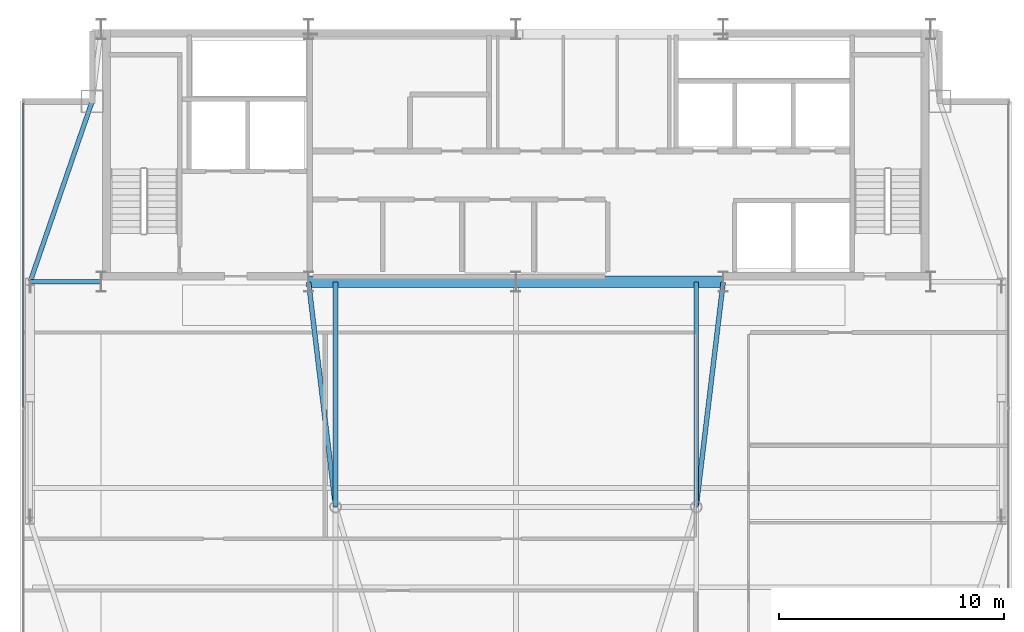
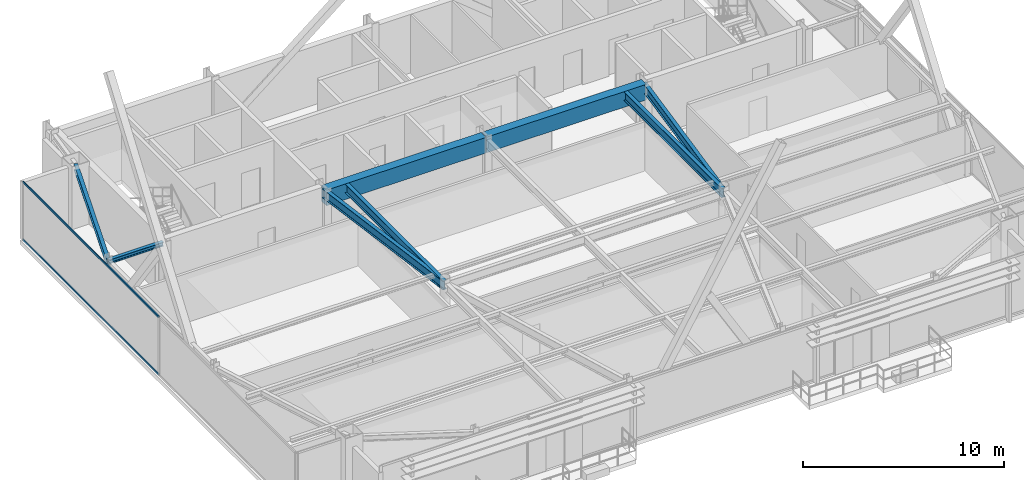
# One storey, part 10 of 25: 8 beams, 2 members, 1 element without a shape of its own.
"""IFC4 building model written with IfcOpenShell, lengths in metres."""

import ifcopenshell
import ifcopenshell.guid

model = None  # the IFC model being written
_history = None  # IfcOwnerHistory: only IFC2X3 demands one
_inside = {}  # id of a spatial element -> (the spatial element, [elements in it])
_under = {}  # id of a project, library or spatial element -> (it, [spatial elements below it])
_declared = {}  # id of a project -> (the project, [libraries it declares])
_typed = {}  # id of a type object -> (the type object, [elements of that type])
_made_of = {}  # id of a material, layer set ... -> (it, [elements and type objects made of it])


def new_model(schema):
    """Start an empty IFC model of exactly this schema.

    Asked for "IFC4X3", IfcOpenShell would pick the latest addendum, in which some entities
    have other attributes; the version numbers below select the first issue.
    IFC2X3 requires an IfcOwnerHistory on every rooted entity: one is made here for all.
    """
    global model, _history
    if schema == "IFC4X3":
        model = ifcopenshell.file(schema_version=(4, 3, 0, 0))
    else:
        model = ifcopenshell.file(schema=schema)
    _inside.clear()
    _under.clear()
    _declared.clear()
    _typed.clear()
    _made_of.clear()
    _history = None
    if model.schema == "IFC2X3":
        org = make("IfcOrganization", Name="unknown")
        user = make(
            "IfcPersonAndOrganization",
            ThePerson=make("IfcPerson", FamilyName="unknown"),
            TheOrganization=org,
        )
        app = make(
            "IfcApplication",
            ApplicationDeveloper=org,
            Version="unknown",
            ApplicationFullName="unknown",
            ApplicationIdentifier="unknown",
        )
        _history = make(
            "IfcOwnerHistory",
            OwningUser=user,
            OwningApplication=app,
            ChangeAction="ADDED",
            CreationDate=0,
        )
    return model


def make(cls, **values):
    """One entity of the class cls with the attributes given. An attribute that is None is left unset."""
    return model.create_entity(
        cls, **{name: value for name, value in values.items() if value is not None}
    )


def rooted(cls, **values):
    """An entity with a GlobalId (a new one), such as an element, a storey or a relation."""
    return make(cls, GlobalId=ifcopenshell.guid.new(), OwnerHistory=_history, **values)


def si_unit(unit_type, name, prefix=None):
    """IfcSIUnit, for example si_unit("LENGTHUNIT", "METRE", prefix="MILLI")."""
    return make("IfcSIUnit", UnitType=unit_type, Prefix=prefix, Name=name)


def assignment(units):
    """IfcUnitAssignment: the units of a project."""
    return None if units is None else make("IfcUnitAssignment", Units=units)


def point(xyz):
    """IfcCartesianPoint."""
    return None if xyz is None else make("IfcCartesianPoint", Coordinates=xyz)


def direction(xyz):
    """IfcDirection."""
    return None if xyz is None else make("IfcDirection", DirectionRatios=xyz)


def frame(location, z_axis=None, x_axis=None):
    """IfcAxis2Placement3D, a coordinate frame: its origin and axes. An axis left out is left unset."""
    return make(
        "IfcAxis2Placement3D",
        Location=point(location),
        Axis=direction(z_axis),
        RefDirection=direction(x_axis),
    )


def frame_2d(location, x_axis=None):
    """IfcAxis2Placement2D, a coordinate frame in the plane: its origin and x axis."""
    return make(
        "IfcAxis2Placement2D", Location=point(location), RefDirection=direction(x_axis)
    )


def origin():
    """The frame at (0, 0, 0) with its axes left unset."""
    return frame((0.0, 0.0, 0.0))


def origin_2d():
    """The frame at (0, 0) in the plane with its x axis left unset."""
    return frame_2d((0.0, 0.0))


def place(relative_to, where):
    """IfcLocalPlacement: puts the frame where relative to a parent placement (None: the world)."""
    return make(
        "IfcLocalPlacement", PlacementRelTo=relative_to, RelativePlacement=where
    )


def context(
    kind, dimensions, precision=None, world=None, true_north=None, identifier=None
):
    """IfcGeometricRepresentationContext, for example the 3D "Model" context."""
    return make(
        "IfcGeometricRepresentationContext",
        ContextIdentifier=identifier,
        ContextType=kind,
        CoordinateSpaceDimension=dimensions,
        Precision=precision,
        WorldCoordinateSystem=world,
        TrueNorth=true_north,
    )


def subcontext(parent, identifier, kind, view, scale=None):
    """IfcGeometricRepresentationSubContext, for example "Body" below "Model"."""
    return make(
        "IfcGeometricRepresentationSubContext",
        ContextIdentifier=identifier,
        ContextType=kind,
        ParentContext=parent,
        TargetScale=scale,
        TargetView=view,
    )


def project(units=None, contexts=None):
    """IfcProject with its units and contexts."""
    return rooted(
        "IfcProject",
        Name="project",
        RepresentationContexts=contexts,
        UnitsInContext=assignment(units),
    )


def spatial(cls, under=None, at=None, **own):
    """A site, building, storey or space (cls), placed at a placement, below another one or the project."""
    s = rooted(cls, ObjectPlacement=at, **own)
    if under is not None:
        _under.setdefault(under.id(), (under, []))[1].append(s)
    return s


def profile(cls, at=None, kind="AREA", **sizes):
    """A parametric profile (cls). Its sizes go by their IFC names, for example OverallWidth=200.0."""
    return make(cls, ProfileType=kind, Position=at, **sizes)


def rectangle(**sizes):
    """IfcRectangleProfileDef."""
    return profile("IfcRectangleProfileDef", **sizes)


def hollow_rectangle(**sizes):
    """IfcRectangleHollowProfileDef."""
    return profile("IfcRectangleHollowProfileDef", **sizes)


def i_section(**sizes):
    """IfcIShapeProfileDef."""
    return profile("IfcIShapeProfileDef", **sizes)


def extrude(swept, where, along, depth):
    """IfcExtrudedAreaSolid: the profile swept, set in the frame where, extruded along a direction by depth."""
    return make(
        "IfcExtrudedAreaSolid",
        SweptArea=swept,
        Position=where,
        ExtrudedDirection=direction(along),
        Depth=depth,
    )


def shape(context_of_items, identifier, shape_type, items):
    """IfcShapeRepresentation: the items that make up one representation, for example the "Body"."""
    return make(
        "IfcShapeRepresentation",
        ContextOfItems=context_of_items,
        RepresentationIdentifier=identifier,
        RepresentationType=shape_type,
        Items=items,
    )


def source(mapping_origin, context_of_items, identifier, shape_type, items):
    """IfcRepresentationMap: a shape defined once, which mapped items show again and again."""
    return make(
        "IfcRepresentationMap",
        MappingOrigin=mapping_origin,
        MappedRepresentation=shape(context_of_items, identifier, shape_type, items),
    )


def transform(
    local_origin,
    x_axis=None,
    y_axis=None,
    z_axis=None,
    scale=None,
    scale2=None,
    scale3=None,
    uniform=True,
):
    """IfcCartesianTransformationOperator3D, or its non-uniform kind. x_axis, y_axis, z_axis: its Axis1, 2, 3."""
    if uniform:
        return make(
            "IfcCartesianTransformationOperator3D",
            Axis1=direction(x_axis),
            Axis2=direction(y_axis),
            LocalOrigin=point(local_origin),
            Scale=scale,
            Axis3=direction(z_axis),
        )
    return make(
        "IfcCartesianTransformationOperator3DnonUniform",
        Axis1=direction(x_axis),
        Axis2=direction(y_axis),
        LocalOrigin=point(local_origin),
        Scale=scale,
        Axis3=direction(z_axis),
        Scale2=scale2,
        Scale3=scale3,
    )


def mapped(mapping_source, mapping_target):
    """IfcMappedItem: shows the shape of a source again, moved by a transform."""
    return make(
        "IfcMappedItem", MappingSource=mapping_source, MappingTarget=mapping_target
    )


def material(Name=None, Category=None):
    """IfcMaterial."""
    return make("IfcMaterial", Name=Name, Category=Category)


def layer(
    of_material, thickness, ventilated=None, Name=None, Category=None, Priority=None
):
    """IfcMaterialLayer: one layer of a wall or slab, of a material (None: an air gap)."""
    return make(
        "IfcMaterialLayer",
        Material=of_material,
        LayerThickness=thickness,
        IsVentilated=ventilated,
        Name=Name,
        Category=Category,
        Priority=Priority,
    )


def layer_set(layers, Name=None):
    """IfcMaterialLayerSet."""
    return make("IfcMaterialLayerSet", MaterialLayers=layers, LayerSetName=Name)


def material_profile(
    of_material, cross_section, Name=None, Category=None, Priority=None
):
    """IfcMaterialProfile: a cross section and its material."""
    return make(
        "IfcMaterialProfile",
        Name=Name,
        Material=of_material,
        Profile=cross_section,
        Priority=Priority,
        Category=Category,
    )


def profile_set(profiles, Name=None, composite=None):
    """IfcMaterialProfileSet."""
    return make(
        "IfcMaterialProfileSet",
        Name=Name,
        MaterialProfiles=profiles,
        CompositeProfile=composite,
    )


def made_of(thing, what):
    """Note that an element or type object is made of a material, layer set ...; save() writes the relation."""
    if what is not None:
        _made_of.setdefault(what.id(), (what, []))[1].append(thing)
    return thing


def type_object(cls, material=None, **own):
    """A type object (cls), such as IfcWallType, which elements share."""
    return made_of(rooted(cls, **own), material)


def type_shapes(of_type, sources):
    """Give a type object the sources (RepresentationMaps) that its elements show as mapped items."""
    of_type.RepresentationMaps = sources


def element(
    cls,
    number,
    at=None,
    inside=None,
    cuts=None,
    type_object=None,
    material=None,
    context=None,
    identifier="Body",
    shape_type=None,
    held_by="IfcProductDefinitionShape",
    body=None,
    shapes=None,
    **own,
):
    """One element of the class cls, such as IfcWall. Its Tag is "e" and its number.

    at: its placement. inside: the storey or other place that contains it. cuts: it is an
    opening in that element (IfcRelVoidsElement). A single representation is given by context,
    identifier, shape_type and body (its items); several are given by shapes. held_by: the class
    of the entity that holds the representations. save() writes the other relations.
    """
    e = rooted(cls, Tag="e%d" % number, ObjectPlacement=at, **own)
    if body is not None:
        shapes = [shape(context, identifier, shape_type, body)]
    if shapes is not None:
        e.Representation = make(held_by, Representations=shapes)
    if inside is not None:
        _inside.setdefault(inside.id(), (inside, []))[1].append(e)
    if cuts is not None:
        rooted(
            "IfcRelVoidsElement", RelatingBuildingElement=cuts, RelatedOpeningElement=e
        )
    if type_object is not None:
        _typed.setdefault(type_object.id(), (type_object, []))[1].append(e)
    return made_of(e, material)


def aggregate(whole, parts):
    """IfcRelAggregates: a whole, such as a stair, and the parts it consists of."""
    return rooted("IfcRelAggregates", RelatingObject=whole, RelatedObjects=parts)


def save(model, path):
    """Write the relations noted so far, then the file.

    IfcRelAggregates (storeys below a building ...), IfcRelContainedInSpatialStructure (elements
    in a storey), IfcRelDefinesByType, IfcRelAssociatesMaterial and IfcRelDeclares: one each for
    every whole, place, type object, material and project.
    """
    for whole, parts in _under.values():
        aggregate(whole, parts)
    for where, things in _inside.values():
        rooted(
            "IfcRelContainedInSpatialStructure",
            RelatedElements=things,
            RelatingStructure=where,
        )
    for kind, things in _typed.values():
        rooted("IfcRelDefinesByType", RelatedObjects=things, RelatingType=kind)
    for what, things in _made_of.values():
        rooted("IfcRelAssociatesMaterial", RelatedObjects=things, RelatingMaterial=what)
    for by, libraries in _declared.values():
        rooted("IfcRelDeclares", RelatingContext=by, RelatedDefinitions=libraries)
    model.write(path)


model = new_model("IFC4")

# Units and contexts
model_context = context("Model", 3, precision=1e-05, world=origin(), true_north=direction((0.0, 1.0)))
body_context = subcontext(model_context, "Body", "Model", "MODEL_VIEW")
ifc_project = project(units=[si_unit("LENGTHUNIT", "METRE"), si_unit("AREAUNIT", "SQUARE_METRE"), si_unit("VOLUMEUNIT", "CUBIC_METRE"), si_unit("PLANEANGLEUNIT", "RADIAN"), si_unit("MASSUNIT", "GRAM", prefix="KILO")], contexts=[model_context])

# Site, building, storey
site_placement = place(None, origin())
site = spatial("IfcSite", under=ifc_project, at=site_placement, CompositionType="ELEMENT")
building_placement = place(site_placement, origin())
building = spatial("IfcBuilding", under=site, at=building_placement, Name="Varnel Quay Broadcast Tower", CompositionType="ELEMENT")
storey_placement = place(building_placement, frame((0.0, 0.0, 273.60009765625)))
storey = spatial("IfcBuildingStorey", under=building, at=storey_placement, Name="L68", CompositionType="ELEMENT", Elevation=273.60009765625)

# Beams
ifc_material_1 = material(Name="Concrete CSA A23.3 C50/60", Category="concrete")
ifc_material_profile_1 = material_profile(ifc_material_1, rectangle(XDim=0.5, YDim=0.949951171875, at=origin_2d()), Name="RC500X950")
ifc_profile_set_1 = profile_set([ifc_material_profile_1], Name="Concrete CSA A23.3 C50/60")
beam_type_1 = type_object("IfcBeamType", Name="Beam_RC500X950", PredefinedType="BEAM", material=ifc_profile_set_1)
shared_shape_1 = source(origin(), body_context, "Body", "SweptSolid", [
    extrude(rectangle(XDim=0.5, YDim=0.949951171875, at=origin_2d()), origin(), (0.0, 0.0, 1.0), 9.159912109375),
])
type_shapes(beam_type_1, [shared_shape_1])
for number, where, z_axis, x_axis, name in (
    (1, (24.820068359375, 35.60009765625, 3.074951171875), (1.0, 0.0, 0.0), (0.0, 1.0, 0.0), "L68 Core Coupling Beam W"),
    (2, (34.02001953125, 35.60009765625, 3.074951171875), (1.0, 0.0, 0.0), (0.0, 1.0, 0.0), "L68 Core Coupling Beam E"),
):
    element("IfcBeam", number, at=place(storey_placement, frame(where, z_axis=z_axis, x_axis=x_axis)), inside=storey, type_object=beam_type_1, Name=name, PredefinedType="BEAM", context=body_context, shape_type="MappedRepresentation", body=[
        mapped(shared_shape_1, transform((0.0, 0.0, 0.0), x_axis=(1.0, 0.0, 0.0), y_axis=(0.0, 1.0, 0.0), z_axis=(0.0, 0.0, 1.0), scale=1.0)),
    ])
ifc_material_2 = material(Name="Structural Steel CSA G40.21 350W", Category="steel")
ifc_material_profile_2 = material_profile(ifc_material_2, i_section(OverallWidth=0.205078125, OverallDepth=0.35400390625, WebThickness=0.009521484375, FlangeThickness=0.016845703125, FilletRadius=0.012939453125, at=origin_2d()), Name="W360X79")
ifc_profile_set_2 = profile_set([ifc_material_profile_2], Name="Structural Steel CSA G40.21 350W")
beam_type_2 = type_object("IfcBeamType", Name="Beam_W360X79", PredefinedType="SPANDREL", material=ifc_profile_set_2)
shared_shape_2 = source(origin(), body_context, "Body", "SweptSolid", [
    extrude(i_section(OverallWidth=0.205078125, OverallDepth=0.35400390625, WebThickness=0.009521484375, FlangeThickness=0.016845703125, FilletRadius=0.012939453125, at=origin_2d()), origin(), (0.0, 0.0, 1.0), 8.41943359375),
])
type_shapes(beam_type_2, [shared_shape_2])
beam_1_placement = place(storey_placement, frame((12.45654296875, 35.618896484375, 3.372802734375), z_axis=(0.325087062108, 0.945684092099, 0.0), x_axis=(-0.945684092099, 0.325087062108, 0.0)))
element("IfcBeam", 3, at=beam_1_placement, inside=storey, type_object=beam_type_2, Name="L68 West Spandrel TC-W2-MC-NW", PredefinedType="SPANDREL", context=body_context, shape_type="MappedRepresentation", body=[
    mapped(shared_shape_2, transform((0.0, 0.0, 0.0), x_axis=(1.0, 0.0, 0.0), y_axis=(0.0, 1.0, 0.0), z_axis=(0.0, 0.0, 1.0), scale=1.0)),
])
ifc_material_profile_3 = material_profile(ifc_material_2, i_section(OverallWidth=0.2119140625, OverallDepth=0.5439453125, WebThickness=0.01318359375, FlangeThickness=0.021240234375, FilletRadius=0.013916015625, at=origin_2d()), Name="W530X123")
ifc_profile_set_3 = profile_set([ifc_material_profile_3], Name="Structural Steel CSA G40.21 350W")
beam_type_3 = type_object("IfcBeamType", Name="Girder_W530X123", PredefinedType="BEAM", material=ifc_profile_set_3)
shared_shape_3 = source(origin(), body_context, "Body", "SweptSolid", [
    extrude(i_section(OverallWidth=0.2119140625, OverallDepth=0.5439453125, WebThickness=0.01318359375, FlangeThickness=0.021240234375, FilletRadius=0.013916015625, at=origin_2d()), origin(), (0.0, 0.0, 1.0), 10.021728515625),
])
for number, where, z_axis, x_axis, name in (
    (4, (25.99755859375, 25.6298828125, 3.27783203125), (-0.119248005741, 0.992864498875, 0.0), (-0.992864498875, -0.119248005741, 0.0), "L68 Primary Girder IC-01-CC-S2"),
    (5, (42.00244140625, 25.6298828125, 3.27783203125), (0.119248005741, 0.992864498875, 0.0), (-0.992864498875, 0.119248005741, 0.0), "L68 Primary Girder IC-02-CC-S4"),
):
    element("IfcBeam", number, at=place(storey_placement, frame(where, z_axis=z_axis, x_axis=x_axis)), inside=storey, type_object=beam_type_3, Name=name, PredefinedType="BEAM", context=body_context, shape_type="MappedRepresentation", body=[
        mapped(shared_shape_3, transform((0.0, 0.0, 0.0), x_axis=(1.0, 0.0, 0.0), y_axis=(0.0, 1.0, 0.0), z_axis=(0.0, 0.0, 1.0), scale=1.0)),
    ])
shared_shape_4 = source(origin(), body_context, "Body", "SweptSolid", [
    extrude(i_section(OverallWidth=0.2119140625, OverallDepth=0.5439453125, WebThickness=0.01318359375, FlangeThickness=0.021240234375, FilletRadius=0.013916015625, at=origin_2d()), origin(), (0.0, 0.0, 1.0), 9.9501953125),
])
type_shapes(beam_type_3, [shared_shape_3, shared_shape_4])
for number, where, z_axis, x_axis, name in (
    (6, (26.0, 25.6298828125, 3.27783203125), (0.0, 1.0, 0.0), (-1.0, 0.0, 0.0), "L68 N-S Joist Header IC-01N"),
    (7, (42.0, 25.6298828125, 3.27783203125), (0.0, 1.0, 0.0), (-1.0, 0.0, 0.0), "L68 N-S Joist Header IC-02N"),
):
    element("IfcBeam", number, at=place(storey_placement, frame(where, z_axis=z_axis, x_axis=x_axis)), inside=storey, type_object=beam_type_3, Name=name, PredefinedType="BEAM", context=body_context, shape_type="MappedRepresentation", body=[
        mapped(shared_shape_4, transform((0.0, 0.0, 0.0), x_axis=(1.0, 0.0, 0.0), y_axis=(0.0, 1.0, 0.0), z_axis=(0.0, 0.0, 1.0), scale=1.0)),
    ])
ifc_material_profile_4 = material_profile(ifc_material_2, i_section(OverallWidth=0.201904296875, OverallDepth=0.2470703125, WebThickness=0.00732421875, FlangeThickness=0.010986328125, FilletRadius=0.010986328125, at=origin_2d()), Name="W250X49")
ifc_profile_set_4 = profile_set([ifc_material_profile_4], Name="Structural Steel CSA G40.21 350W")
beam_type_4 = type_object("IfcBeamType", Name="Beam_W250X49", PredefinedType="JOIST", material=ifc_profile_set_4)
shared_shape_5 = source(origin(), body_context, "Body", "SweptSolid", [
    extrude(i_section(OverallWidth=0.201904296875, OverallDepth=0.2470703125, WebThickness=0.00732421875, FlangeThickness=0.010986328125, FilletRadius=0.010986328125, at=origin_2d()), origin(), (0.0, 0.0, 1.0), 3.110107421875),
])
type_shapes(beam_type_4, [shared_shape_5])
beam_2_placement = place(storey_placement, frame((12.469970703125, 35.60009765625, 3.426513671875), z_axis=(1.0, 0.0, 0.0), x_axis=(0.0, 1.0, 0.0)))
element("IfcBeam", 8, at=beam_2_placement, inside=storey, type_object=beam_type_4, Name="L68 West Core Tie Joist", PredefinedType="JOIST", context=body_context, shape_type="MappedRepresentation", body=[
    mapped(shared_shape_5, transform((0.0, 0.0, 0.0), x_axis=(1.0, 0.0, 0.0), y_axis=(0.0, 1.0, 0.0), z_axis=(0.0, 0.0, 1.0), scale=1.0)),
])

# Curtain wall, members
ifc_material_3 = material(Name="Anodised Bronze Aluminium 6063-T6", Category="aluminium")
ifc_layer = layer(ifc_material_3, 0.18994140625, Name="Anodised Bronze Aluminium 6063-T6")
ifc_layer_set = layer_set([ifc_layer], Name="Anodised Bronze Aluminium 6063-T6")
curtain_wall_type = type_object("IfcCurtainWallType", Name="CW_UpperTower", PredefinedType="NOTDEFINED", material=ifc_layer_set)
curtain_wall_placement = place(storey_placement, origin())
curtain_wall = element("IfcCurtainWall", 9, at=curtain_wall_placement, inside=storey, type_object=curtain_wall_type, Name="L68 West Unitised Curtain Wall", PredefinedType="NOTDEFINED")
ifc_material_profile_5 = material_profile(ifc_material_3, hollow_rectangle(XDim=0.06005859375, YDim=0.125, WallThickness=0.0029296875, at=origin_2d()), Name="ALU60X125X3")
ifc_profile_set_5 = profile_set([ifc_material_profile_5], Name="Anodised Bronze Aluminium 6063-T6")
member_type = type_object("IfcMemberType", Name="Tran_CWS-03", PredefinedType="USERDEFINED", material=ifc_profile_set_5)
shared_shape_6 = source(origin(), body_context, "Body", "SweptSolid", [
    extrude(hollow_rectangle(XDim=0.06005859375, YDim=0.125, WallThickness=0.0029296875, at=origin_2d()), origin(), (0.0, 0.0, 1.0), 13.50244140625),
])
type_shapes(member_type, [shared_shape_6])
member_1_placement = place(storey_placement, frame((12.14990234375, 30.032470703125, 0.02978515625), z_axis=(0.0, 1.0, 0.0), x_axis=(-1.0, 0.0, 0.0)))
member_1 = element("IfcMember", 10, at=member_1_placement, type_object=member_type, Name="CWS-03 transom 2.1", ObjectType="TRANSOM", PredefinedType="USERDEFINED", context=body_context, shape_type="MappedRepresentation", body=[
    mapped(shared_shape_6, transform((0.0, 0.0, 0.0), x_axis=(1.0, 0.0, 0.0), y_axis=(0.0, 1.0, 0.0), z_axis=(0.0, 0.0, 1.0), scale=1.0)),
])
member_2_placement = place(storey_placement, frame((12.14990234375, 30.032470703125, 3.52001953125), z_axis=(0.0, 1.0, 0.0), x_axis=(-1.0, 0.0, 0.0)))
member_2 = element("IfcMember", 11, at=member_2_placement, type_object=member_type, Name="CWS-03 transom 2.2", ObjectType="TRANSOM", PredefinedType="USERDEFINED", context=body_context, shape_type="MappedRepresentation", body=[
    mapped(shared_shape_6, transform((0.0, 0.0, 0.0), x_axis=(1.0, 0.0, 0.0), y_axis=(0.0, 1.0, 0.0), z_axis=(0.0, 0.0, 1.0), scale=1.0)),
])
aggregate(curtain_wall, [member_1, member_2])

save(model, "model.ifc")
